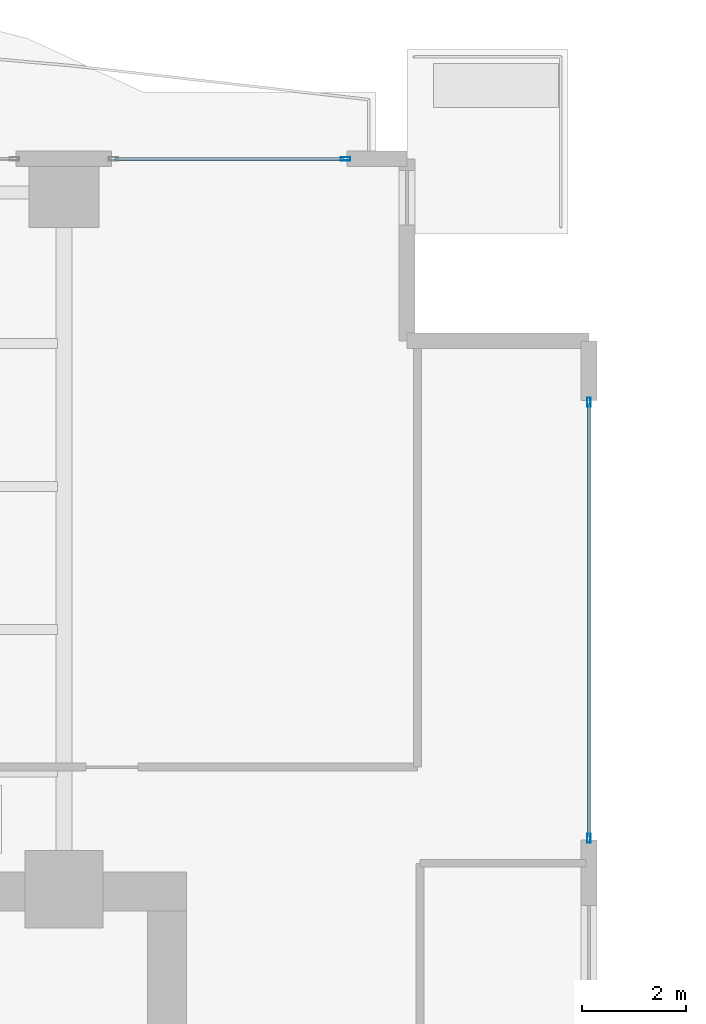
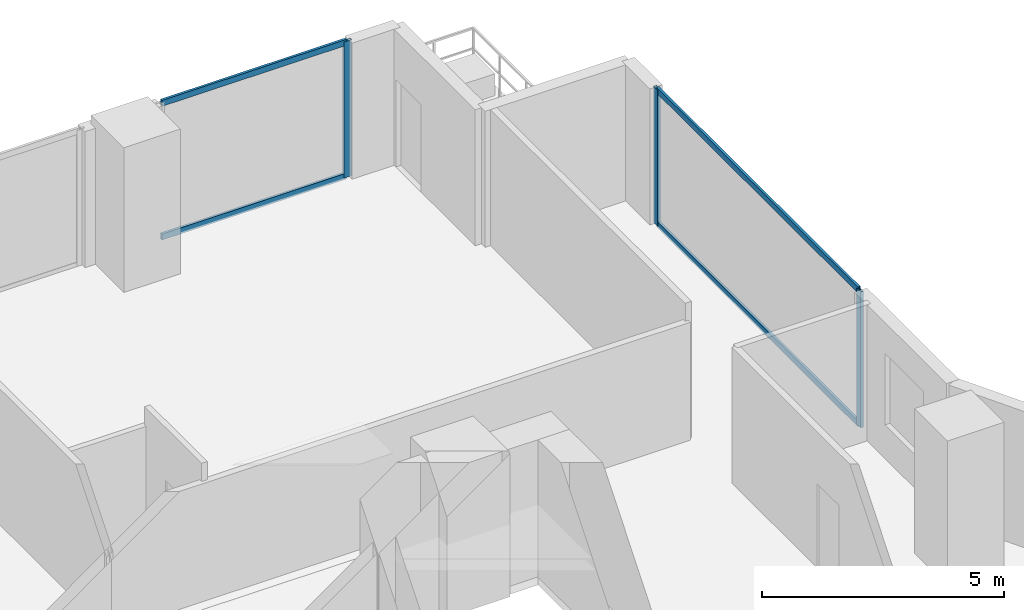
# One storey, part 19 of 28: 7 members, 2 elements without a shape of their own.
"""IFC4 building model written with IfcOpenShell, lengths in metres."""

from ifc_helpers import new_model, si_unit, direction, frame, origin, origin_2d, place, context, subcontext, project, spatial, hollow_rectangle, extrude, material, layer, layer_set, material_profile, profile_set, type_object, element, aggregate, save


model = new_model("IFC4")

# Units and contexts
model_context = context("Model", 3, precision=1e-05, world=origin(), true_north=direction((0.0, 1.0)))
body_context = subcontext(model_context, "Body", "Model", "MODEL_VIEW")
ifc_project = project(units=[si_unit("LENGTHUNIT", "METRE"), si_unit("AREAUNIT", "SQUARE_METRE"), si_unit("VOLUMEUNIT", "CUBIC_METRE"), si_unit("PLANEANGLEUNIT", "RADIAN"), si_unit("MASSUNIT", "GRAM", prefix="KILO")], contexts=[model_context])

# Site, building, storey
site_placement = place(None, origin())
site = spatial("IfcSite", under=ifc_project, at=site_placement, CompositionType="ELEMENT")
building_placement = place(site_placement, origin())
building = spatial("IfcBuilding", under=site, at=building_placement, Name="Zuhayl Quay Hotel", CompositionType="ELEMENT")
storey_placement = place(building_placement, frame((0.0, 0.0, 146.75)))
storey = spatial("IfcBuildingStorey", under=building, at=storey_placement, Name="L37", CompositionType="ELEMENT", Elevation=146.75)

# Curtain wall, member
ifc_material_1 = material(Name="Anodised Aluminium 6063-T6", Category="aluminium")
ifc_layer = layer(ifc_material_1, 0.179931640625, Name="Anodised Aluminium 6063-T6", Category="aluminium")
ifc_layer_set = layer_set([ifc_layer], Name="Anodised Aluminium 6063-T6")
curtain_wall_type = type_object("IfcCurtainWallType", Name="CW_SYS_Z2", PredefinedType="USERDEFINED", material=ifc_layer_set)
curtain_wall_1_placement = place(storey_placement, origin())
curtain_wall_1 = element("IfcCurtainWall", 1, at=curtain_wall_1_placement, inside=storey, type_object=curtain_wall_type, Name="L37 Curtain Wall ENV_L37_N_CW6", ObjectType="UNITISED CURTAIN WALL", PredefinedType="USERDEFINED")
ifc_material_2 = material(Name="Black-anodised aluminium 6063-T6", Category="aluminium")
ifc_material_profile_1 = material_profile(ifc_material_2, hollow_rectangle(XDim=0.06494140625, YDim=0.179931640625, WallThickness=0.00341796875, at=origin_2d()), Name="ALU180X65")
ifc_profile_set_1 = profile_set([ifc_material_profile_1], Name="Black-anodised aluminium 6063-T6")
member_type_1 = type_object("IfcMemberType", Name="MB_CW_MUL_180", PredefinedType="MULLION", material=ifc_profile_set_1)
member_1_placement = place(storey_placement, frame((19.217529296875, 28.39990234375, 0.0), z_axis=(0.0, 0.0, 1.0), x_axis=(0.0, 1.0, 0.0)))
member_1 = element("IfcMember", 2, at=member_1_placement, type_object=member_type_1, Name="CW-Z2 mullion 2", PredefinedType="MULLION", context=body_context, shape_type="SweptSolid", body=[
    extrude(hollow_rectangle(XDim=0.06494140625, YDim=0.179931640625, WallThickness=0.00341796875, at=origin_2d()), origin(), (0.0, 0.0, 1.0), 3.429931640625),
])

# Curtain wall, members
curtain_wall_2_placement = place(storey_placement, origin())
curtain_wall_2 = element("IfcCurtainWall", 3, at=curtain_wall_2_placement, inside=storey, type_object=curtain_wall_type, Name="L37 Curtain Wall ENV_L37_E11_CW1", ObjectType="UNITISED CURTAIN WALL", PredefinedType="USERDEFINED")
member_2_placement = place(storey_placement, frame((23.89990234375, 23.717529296875, 0.0), z_axis=(0.0, 0.0, 1.0), x_axis=(1.0, 0.0, 0.0)))
member_2 = element("IfcMember", 4, at=member_2_placement, type_object=member_type_1, Name="CW-Z2 mullion 1", PredefinedType="MULLION", context=body_context, shape_type="SweptSolid", body=[
    extrude(hollow_rectangle(XDim=0.06494140625, YDim=0.179931640625, WallThickness=0.00341796875, at=origin_2d()), origin(), (0.0, 0.0, 1.0), 3.429931640625),
])
member_3_placement = place(storey_placement, frame((23.89990234375, 15.33251953125, 0.0), z_axis=(0.0, 0.0, 1.0), x_axis=(1.0, 0.0, 0.0)))
member_3 = element("IfcMember", 5, at=member_3_placement, type_object=member_type_1, Name="CW-Z2 mullion 2", PredefinedType="MULLION", context=body_context, shape_type="SweptSolid", body=[
    extrude(hollow_rectangle(XDim=0.06494140625, YDim=0.179931640625, WallThickness=0.00341796875, at=origin_2d()), origin(), (0.0, 0.0, 1.0), 3.429931640625),
])

# Member
ifc_material_profile_2 = material_profile(ifc_material_2, hollow_rectangle(XDim=0.06005859375, YDim=0.14990234375, WallThickness=0.00341796875, at=origin_2d()), Name="ALU150X60")
ifc_profile_set_2 = profile_set([ifc_material_profile_2], Name="Black-anodised aluminium 6063-T6")
member_type_2 = type_object("IfcMemberType", Name="MB_CW_TRN_150", PredefinedType="USERDEFINED", material=ifc_profile_set_2)
member_4_placement = place(storey_placement, frame((14.784912109375, 28.39990234375, 0.030029296875), z_axis=(1.0, 0.0, 0.0), x_axis=(0.0, 1.0, 0.0)))
member_4 = element("IfcMember", 6, at=member_4_placement, type_object=member_type_2, Name="CW-Z2 transom 1.1", ObjectType="TRANSOM", PredefinedType="USERDEFINED", context=body_context, shape_type="SweptSolid", body=[
    extrude(hollow_rectangle(XDim=0.06005859375, YDim=0.14990234375, WallThickness=0.00341796875, at=origin_2d()), origin(), (0.0, 0.0, 1.0), 4.400146484375),
])

member_5_placement = place(storey_placement, frame((14.784912109375, 28.39990234375, 3.39990234375), z_axis=(1.0, 0.0, 0.0), x_axis=(0.0, 1.0, 0.0)))
member_5 = element("IfcMember", 7, at=member_5_placement, type_object=member_type_2, Name="CW-Z2 transom 1.2", ObjectType="TRANSOM", PredefinedType="USERDEFINED", context=body_context, shape_type="SweptSolid", body=[
    extrude(hollow_rectangle(XDim=0.06005859375, YDim=0.14990234375, WallThickness=0.00341796875, at=origin_2d()), origin(), (0.0, 0.0, 1.0), 4.400146484375),
])

aggregate(curtain_wall_1, [member_1, member_4, member_5])

member_6_placement = place(storey_placement, frame((23.89990234375, 23.68505859375, 0.030029296875), z_axis=(0.0, -1.0, 0.0), x_axis=(1.0, 0.0, 0.0)))
member_6 = element("IfcMember", 8, at=member_6_placement, type_object=member_type_2, Name="CW-Z2 transom 1.1", ObjectType="TRANSOM", PredefinedType="USERDEFINED", context=body_context, shape_type="SweptSolid", body=[
    extrude(hollow_rectangle(XDim=0.06005859375, YDim=0.14990234375, WallThickness=0.00341796875, at=origin_2d()), origin(), (0.0, 0.0, 1.0), 8.320068359375),
])

member_7_placement = place(storey_placement, frame((23.89990234375, 23.68505859375, 3.39990234375), z_axis=(0.0, -1.0, 0.0), x_axis=(1.0, 0.0, 0.0)))
member_7 = element("IfcMember", 9, at=member_7_placement, type_object=member_type_2, Name="CW-Z2 transom 1.2", ObjectType="TRANSOM", PredefinedType="USERDEFINED", context=body_context, shape_type="SweptSolid", body=[
    extrude(hollow_rectangle(XDim=0.06005859375, YDim=0.14990234375, WallThickness=0.00341796875, at=origin_2d()), origin(), (0.0, 0.0, 1.0), 8.320068359375),
])

aggregate(curtain_wall_2, [member_2, member_3, member_6, member_7])

save(model, "model.ifc")
